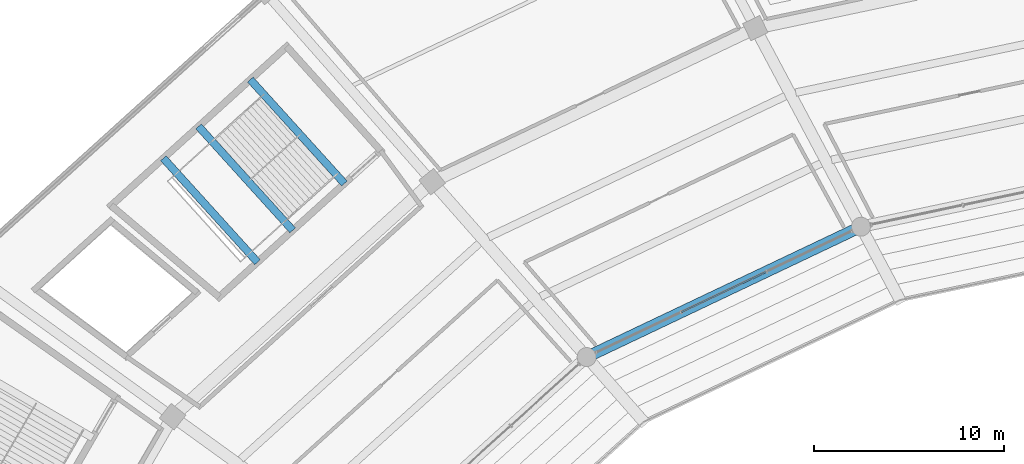
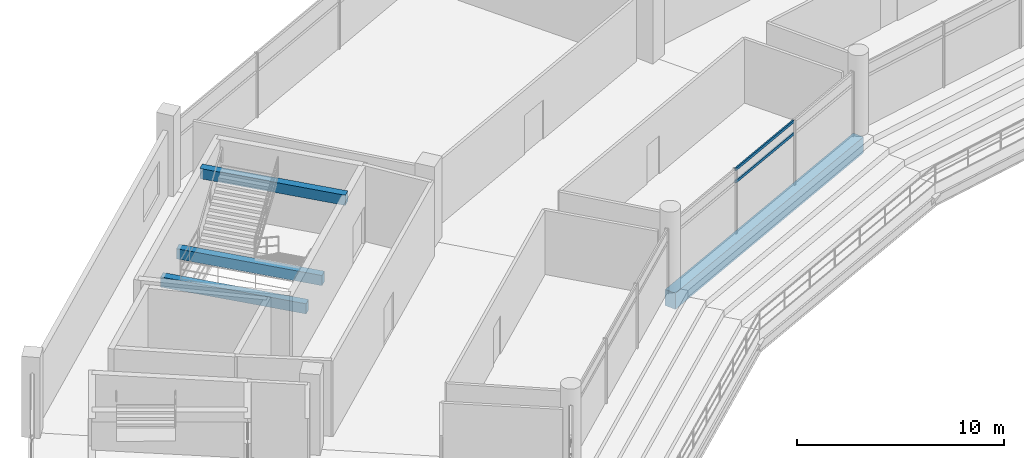
# One storey, part 82 of 171: 4 beams, 2 members, 1 element without a shape of its own.
"""IFC4 building model written with IfcOpenShell, lengths in metres."""

import ifcopenshell
import ifcopenshell.guid

model = None  # the IFC model being written
_history = None  # IfcOwnerHistory: only IFC2X3 demands one
_inside = {}  # id of a spatial element -> (the spatial element, [elements in it])
_under = {}  # id of a project, library or spatial element -> (it, [spatial elements below it])
_declared = {}  # id of a project -> (the project, [libraries it declares])
_typed = {}  # id of a type object -> (the type object, [elements of that type])
_made_of = {}  # id of a material, layer set ... -> (it, [elements and type objects made of it])


def new_model(schema):
    """Start an empty IFC model of exactly this schema.

    Asked for "IFC4X3", IfcOpenShell would pick the latest addendum, in which some entities
    have other attributes; the version numbers below select the first issue.
    IFC2X3 requires an IfcOwnerHistory on every rooted entity: one is made here for all.
    """
    global model, _history
    if schema == "IFC4X3":
        model = ifcopenshell.file(schema_version=(4, 3, 0, 0))
    else:
        model = ifcopenshell.file(schema=schema)
    _inside.clear()
    _under.clear()
    _declared.clear()
    _typed.clear()
    _made_of.clear()
    _history = None
    if model.schema == "IFC2X3":
        org = make("IfcOrganization", Name="unknown")
        user = make(
            "IfcPersonAndOrganization",
            ThePerson=make("IfcPerson", FamilyName="unknown"),
            TheOrganization=org,
        )
        app = make(
            "IfcApplication",
            ApplicationDeveloper=org,
            Version="unknown",
            ApplicationFullName="unknown",
            ApplicationIdentifier="unknown",
        )
        _history = make(
            "IfcOwnerHistory",
            OwningUser=user,
            OwningApplication=app,
            ChangeAction="ADDED",
            CreationDate=0,
        )
    return model


def make(cls, **values):
    """One entity of the class cls with the attributes given. An attribute that is None is left unset."""
    return model.create_entity(
        cls, **{name: value for name, value in values.items() if value is not None}
    )


def rooted(cls, **values):
    """An entity with a GlobalId (a new one), such as an element, a storey or a relation."""
    return make(cls, GlobalId=ifcopenshell.guid.new(), OwnerHistory=_history, **values)


def si_unit(unit_type, name, prefix=None):
    """IfcSIUnit, for example si_unit("LENGTHUNIT", "METRE", prefix="MILLI")."""
    return make("IfcSIUnit", UnitType=unit_type, Prefix=prefix, Name=name)


def assignment(units):
    """IfcUnitAssignment: the units of a project."""
    return None if units is None else make("IfcUnitAssignment", Units=units)


def point(xyz):
    """IfcCartesianPoint."""
    return None if xyz is None else make("IfcCartesianPoint", Coordinates=xyz)


def direction(xyz):
    """IfcDirection."""
    return None if xyz is None else make("IfcDirection", DirectionRatios=xyz)


def frame(location, z_axis=None, x_axis=None):
    """IfcAxis2Placement3D, a coordinate frame: its origin and axes. An axis left out is left unset."""
    return make(
        "IfcAxis2Placement3D",
        Location=point(location),
        Axis=direction(z_axis),
        RefDirection=direction(x_axis),
    )


def frame_2d(location, x_axis=None):
    """IfcAxis2Placement2D, a coordinate frame in the plane: its origin and x axis."""
    return make(
        "IfcAxis2Placement2D", Location=point(location), RefDirection=direction(x_axis)
    )


def origin():
    """The frame at (0, 0, 0) with its axes left unset."""
    return frame((0.0, 0.0, 0.0))


def origin_2d():
    """The frame at (0, 0) in the plane with its x axis left unset."""
    return frame_2d((0.0, 0.0))


def place(relative_to, where):
    """IfcLocalPlacement: puts the frame where relative to a parent placement (None: the world)."""
    return make(
        "IfcLocalPlacement", PlacementRelTo=relative_to, RelativePlacement=where
    )


def context(
    kind, dimensions, precision=None, world=None, true_north=None, identifier=None
):
    """IfcGeometricRepresentationContext, for example the 3D "Model" context."""
    return make(
        "IfcGeometricRepresentationContext",
        ContextIdentifier=identifier,
        ContextType=kind,
        CoordinateSpaceDimension=dimensions,
        Precision=precision,
        WorldCoordinateSystem=world,
        TrueNorth=true_north,
    )


def subcontext(parent, identifier, kind, view, scale=None):
    """IfcGeometricRepresentationSubContext, for example "Body" below "Model"."""
    return make(
        "IfcGeometricRepresentationSubContext",
        ContextIdentifier=identifier,
        ContextType=kind,
        ParentContext=parent,
        TargetScale=scale,
        TargetView=view,
    )


def project(units=None, contexts=None):
    """IfcProject with its units and contexts."""
    return rooted(
        "IfcProject",
        Name="project",
        RepresentationContexts=contexts,
        UnitsInContext=assignment(units),
    )


def spatial(cls, under=None, at=None, **own):
    """A site, building, storey or space (cls), placed at a placement, below another one or the project."""
    s = rooted(cls, ObjectPlacement=at, **own)
    if under is not None:
        _under.setdefault(under.id(), (under, []))[1].append(s)
    return s


def profile(cls, at=None, kind="AREA", **sizes):
    """A parametric profile (cls). Its sizes go by their IFC names, for example OverallWidth=200.0."""
    return make(cls, ProfileType=kind, Position=at, **sizes)


def rectangle(**sizes):
    """IfcRectangleProfileDef."""
    return profile("IfcRectangleProfileDef", **sizes)


def hollow_rectangle(**sizes):
    """IfcRectangleHollowProfileDef."""
    return profile("IfcRectangleHollowProfileDef", **sizes)


def extrude(swept, where, along, depth):
    """IfcExtrudedAreaSolid: the profile swept, set in the frame where, extruded along a direction by depth."""
    return make(
        "IfcExtrudedAreaSolid",
        SweptArea=swept,
        Position=where,
        ExtrudedDirection=direction(along),
        Depth=depth,
    )


def shape(context_of_items, identifier, shape_type, items):
    """IfcShapeRepresentation: the items that make up one representation, for example the "Body"."""
    return make(
        "IfcShapeRepresentation",
        ContextOfItems=context_of_items,
        RepresentationIdentifier=identifier,
        RepresentationType=shape_type,
        Items=items,
    )


def material(Name=None, Category=None):
    """IfcMaterial."""
    return make("IfcMaterial", Name=Name, Category=Category)


def layer(
    of_material, thickness, ventilated=None, Name=None, Category=None, Priority=None
):
    """IfcMaterialLayer: one layer of a wall or slab, of a material (None: an air gap)."""
    return make(
        "IfcMaterialLayer",
        Material=of_material,
        LayerThickness=thickness,
        IsVentilated=ventilated,
        Name=Name,
        Category=Category,
        Priority=Priority,
    )


def layer_set(layers, Name=None):
    """IfcMaterialLayerSet."""
    return make("IfcMaterialLayerSet", MaterialLayers=layers, LayerSetName=Name)


def material_profile(
    of_material, cross_section, Name=None, Category=None, Priority=None
):
    """IfcMaterialProfile: a cross section and its material."""
    return make(
        "IfcMaterialProfile",
        Name=Name,
        Material=of_material,
        Profile=cross_section,
        Priority=Priority,
        Category=Category,
    )


def profile_set(profiles, Name=None, composite=None):
    """IfcMaterialProfileSet."""
    return make(
        "IfcMaterialProfileSet",
        Name=Name,
        MaterialProfiles=profiles,
        CompositeProfile=composite,
    )


def made_of(thing, what):
    """Note that an element or type object is made of a material, layer set ...; save() writes the relation."""
    if what is not None:
        _made_of.setdefault(what.id(), (what, []))[1].append(thing)
    return thing


def type_object(cls, material=None, **own):
    """A type object (cls), such as IfcWallType, which elements share."""
    return made_of(rooted(cls, **own), material)


def element(
    cls,
    number,
    at=None,
    inside=None,
    cuts=None,
    type_object=None,
    material=None,
    context=None,
    identifier="Body",
    shape_type=None,
    held_by="IfcProductDefinitionShape",
    body=None,
    shapes=None,
    **own,
):
    """One element of the class cls, such as IfcWall. Its Tag is "e" and its number.

    at: its placement. inside: the storey or other place that contains it. cuts: it is an
    opening in that element (IfcRelVoidsElement). A single representation is given by context,
    identifier, shape_type and body (its items); several are given by shapes. held_by: the class
    of the entity that holds the representations. save() writes the other relations.
    """
    e = rooted(cls, Tag="e%d" % number, ObjectPlacement=at, **own)
    if body is not None:
        shapes = [shape(context, identifier, shape_type, body)]
    if shapes is not None:
        e.Representation = make(held_by, Representations=shapes)
    if inside is not None:
        _inside.setdefault(inside.id(), (inside, []))[1].append(e)
    if cuts is not None:
        rooted(
            "IfcRelVoidsElement", RelatingBuildingElement=cuts, RelatedOpeningElement=e
        )
    if type_object is not None:
        _typed.setdefault(type_object.id(), (type_object, []))[1].append(e)
    return made_of(e, material)


def aggregate(whole, parts):
    """IfcRelAggregates: a whole, such as a stair, and the parts it consists of."""
    return rooted("IfcRelAggregates", RelatingObject=whole, RelatedObjects=parts)


def save(model, path):
    """Write the relations noted so far, then the file.

    IfcRelAggregates (storeys below a building ...), IfcRelContainedInSpatialStructure (elements
    in a storey), IfcRelDefinesByType, IfcRelAssociatesMaterial and IfcRelDeclares: one each for
    every whole, place, type object, material and project.
    """
    for whole, parts in _under.values():
        aggregate(whole, parts)
    for where, things in _inside.values():
        rooted(
            "IfcRelContainedInSpatialStructure",
            RelatedElements=things,
            RelatingStructure=where,
        )
    for kind, things in _typed.values():
        rooted("IfcRelDefinesByType", RelatedObjects=things, RelatingType=kind)
    for what, things in _made_of.values():
        rooted("IfcRelAssociatesMaterial", RelatedObjects=things, RelatingMaterial=what)
    for by, libraries in _declared.values():
        rooted("IfcRelDeclares", RelatingContext=by, RelatedDefinitions=libraries)
    model.write(path)


model = new_model("IFC4")

# Units and contexts
model_context = context("Model", 3, precision=1e-05, world=origin(), true_north=direction((0.0, 1.0)))
body_context = subcontext(model_context, "Body", "Model", "MODEL_VIEW")
ifc_project = project(units=[si_unit("LENGTHUNIT", "METRE"), si_unit("AREAUNIT", "SQUARE_METRE"), si_unit("VOLUMEUNIT", "CUBIC_METRE"), si_unit("PLANEANGLEUNIT", "RADIAN"), si_unit("MASSUNIT", "GRAM", prefix="KILO")], contexts=[model_context])

# Site, building, storey
site_placement = place(None, origin())
site = spatial("IfcSite", under=ifc_project, at=site_placement, CompositionType="ELEMENT")
building_placement = place(site_placement, origin())
building = spatial("IfcBuilding", under=site, at=building_placement, Name="Kazemori Nagisa Stadium", CompositionType="ELEMENT")
storey_placement = place(building_placement, frame((0.0, 0.0, 15.639892578125)))
storey = spatial("IfcBuildingStorey", under=building, at=storey_placement, Name="L03", CompositionType="ELEMENT", Elevation=15.639892578125)

# Beams
ifc_material_1 = material(Name="Concrete C40/50 (Fc42)", Category="concrete")
ifc_material_profile_1 = material_profile(ifc_material_1, rectangle(XDim=0.39990234375, YDim=0.60009765625, at=origin_2d()), Name="RC-BM-400x600")
ifc_profile_set_1 = profile_set([ifc_material_profile_1], Name="Concrete C40/50 (Fc42)")
beam_type_1 = type_object("IfcBeamType", Name="Beam_BG-LND400X600", PredefinedType="BEAM", material=ifc_profile_set_1)
beam_1_placement = place(storey_placement, frame((61.818603515625, 160.547119140625, 1.880126953125), z_axis=(-0.671129682405, 0.741339968837, 0.0), x_axis=(-0.741339968837, -0.671129682405, 0.0)))
element("IfcBeam", 1, at=beam_1_placement, inside=storey, type_object=beam_type_1, Name="Core stair mid-landing girder ST02-L03-1", PredefinedType="BEAM", context=body_context, shape_type="SweptSolid", body=[
    extrude(rectangle(XDim=0.39990234375, YDim=0.60009765625, at=origin_2d()), origin(), (0.0, 0.0, 1.0), 7.3857421875),
])
for number, where, z_axis, x_axis, name in (
    (2, (59.96533203125, 158.869140625, 1.880126953125), (-0.671113236271, 0.74135485707, 0.0), (-0.74135485707, -0.671113236271, 0.0), "Core stair mid-landing girder ST02-L03-2"),
    (3, (64.543212890625, 163.01318359375, 4.16015625), (-0.671113236271, 0.74135485707, 0.0), (-0.74135485707, -0.671113236271, 0.0), "Core stair arrival header girder ST02-L03"),
):
    element("IfcBeam", number, at=place(storey_placement, frame(where, z_axis=z_axis, x_axis=x_axis)), inside=storey, type_object=beam_type_1, Name=name, PredefinedType="BEAM", context=body_context, shape_type="SweptSolid", body=[
        extrude(rectangle(XDim=0.39990234375, YDim=0.60009765625, at=origin_2d()), origin(), (0.0, 0.0, 1.0), 7.385986328125),
    ])
ifc_material_profile_2 = material_profile(ifc_material_1, rectangle(XDim=0.60009765625, YDim=0.949951171875, at=origin_2d()), Name="RC-BM-600x950")
ifc_profile_set_2 = profile_set([ifc_material_profile_2], Name="Concrete C40/50 (Fc42)")
beam_type_2 = type_object("IfcBeamType", Name="Beam_BG-RC600X950", PredefinedType="BEAM", material=ifc_profile_set_2)
beam_2_placement = place(storey_placement, frame((91.75244140625, 160.739013671875, -0.73486328125), z_axis=(-0.903211989129, -0.429194714196, 0.0), x_axis=(0.429194714196, -0.903211989129, 0.0)))
element("IfcBeam", 4, at=beam_2_placement, inside=storey, type_object=beam_type_2, Name="Ring girder BG-RC600X950 L03 R1-10", PredefinedType="BEAM", context=body_context, shape_type="SweptSolid", body=[
    extrude(rectangle(XDim=0.60009765625, YDim=0.949951171875, at=origin_2d()), origin(), (0.0, 0.0, 1.0), 15.997314453125),
])

# Curtain wall, members
ifc_material_2 = material(Name="Anodised aluminium 6063-T5", Category="aluminium")
ifc_layer = layer(ifc_material_2, 0.2099609375, Name="Anodised aluminium 6063-T5", Category="aluminium")
ifc_layer_set = layer_set([ifc_layer], Name="Anodised aluminium 6063-T5")
curtain_wall_type = type_object("IfcCurtainWallType", Name="CW_L03B_75", PredefinedType="USERDEFINED", material=ifc_layer_set)
curtain_wall_placement = place(storey_placement, origin())
curtain_wall = element("IfcCurtainWall", 5, at=curtain_wall_placement, inside=storey, type_object=curtain_wall_type, Name="Unitised curtain wall CW-L03B-75 L03", ObjectType="UNITISED CURTAIN WALL", PredefinedType="USERDEFINED")
ifc_material_3 = material(Name="Aluminium 6063-T5 anodised", Category="aluminium")
ifc_material_profile_3 = material_profile(ifc_material_3, hollow_rectangle(XDim=0.080078125, YDim=0.159912109375, WallThickness=0.00390625, at=origin_2d()), Name="ALU-TRAN-80x160x4")
ifc_profile_set_3 = profile_set([ifc_material_profile_3], Name="Aluminium 6063-T5 anodised")
member_type = type_object("IfcMemberType", Name="Transom_T02", PredefinedType="USERDEFINED", material=ifc_profile_set_3)
member_1_placement = place(storey_placement, frame((86.757080078125, 158.365234375, 3.010009765625), z_axis=(-0.903210397994, -0.429198062618, 0.0), x_axis=(0.429198062618, -0.903210397994, 0.0)))
member_1 = element("IfcMember", 6, at=member_1_placement, type_object=member_type, Name="Curtain wall transom CW-L03B-75-T2-mid", ObjectType="TRANSOM", PredefinedType="USERDEFINED", context=body_context, shape_type="SweptSolid", body=[
    extrude(hollow_rectangle(XDim=0.080078125, YDim=0.159912109375, WallThickness=0.00390625, at=origin_2d()), origin(), (0.0, 0.0, 1.0), 4.935791015625),
])
member_2_placement = place(storey_placement, frame((86.757080078125, 158.365234375, 3.739990234375), z_axis=(-0.903210397994, -0.429198062618, 0.0), x_axis=(0.429198062618, -0.903210397994, 0.0)))
member_2 = element("IfcMember", 7, at=member_2_placement, type_object=member_type, Name="Curtain wall transom CW-L03B-75-T2-head", ObjectType="TRANSOM", PredefinedType="USERDEFINED", context=body_context, shape_type="SweptSolid", body=[
    extrude(hollow_rectangle(XDim=0.080078125, YDim=0.159912109375, WallThickness=0.00390625, at=origin_2d()), origin(), (0.0, 0.0, 1.0), 4.935791015625),
])
aggregate(curtain_wall, [member_1, member_2])

save(model, "model.ifc")
